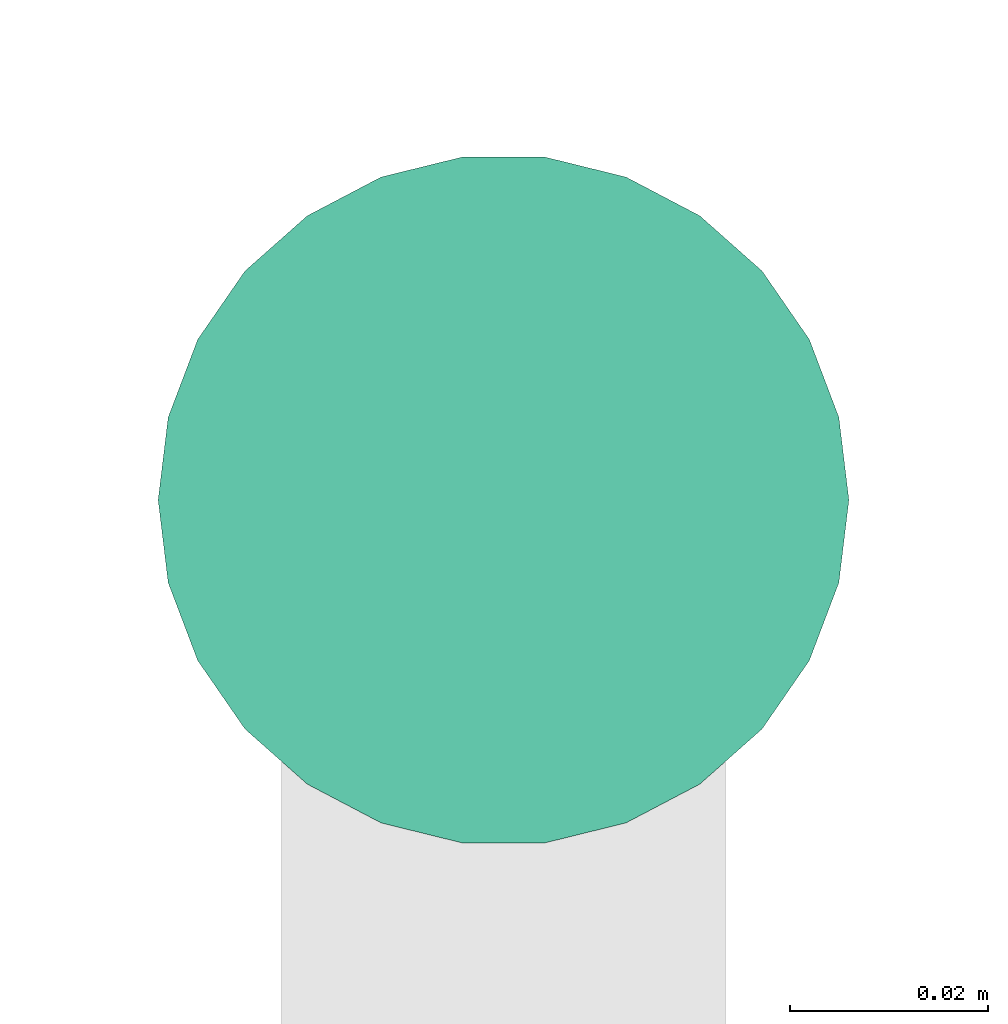
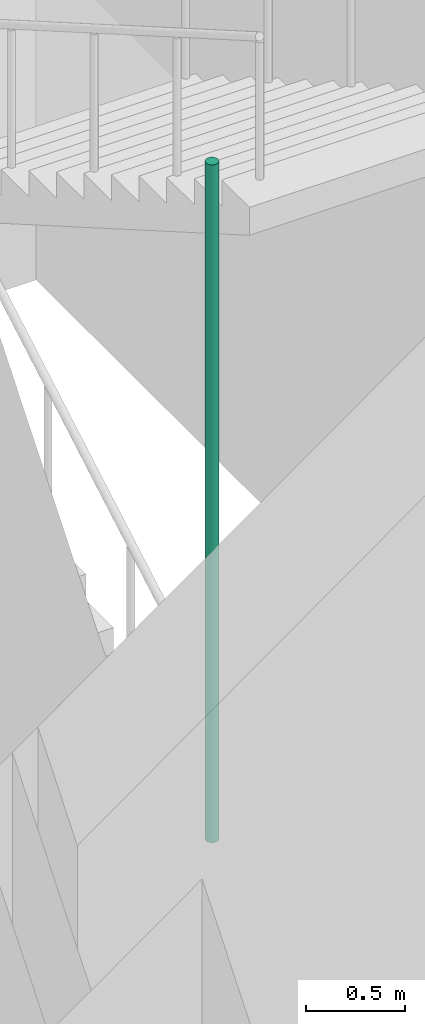
# One storey, part 34 of 38: 1 pipe segment.
"""IFC4 building model written with IfcOpenShell, lengths in metres."""

from ifc_helpers import new_model, si_unit, direction, frame, origin, origin_2d, place, context, subcontext, project, spatial, circle, extrude, element, save


model = new_model("IFC4")

# Units and contexts
model_context = context("Model", 3, precision=1e-05, world=origin(), true_north=direction((0.0, 1.0)))
body_context = subcontext(model_context, "Body", "Model", "MODEL_VIEW")
ifc_project = project(units=[si_unit("LENGTHUNIT", "METRE"), si_unit("AREAUNIT", "SQUARE_METRE"), si_unit("VOLUMEUNIT", "CUBIC_METRE"), si_unit("PLANEANGLEUNIT", "RADIAN"), si_unit("MASSUNIT", "GRAM", prefix="KILO")], contexts=[model_context])

# Site, building, storey
site_placement = place(None, origin())
site = spatial("IfcSite", under=ifc_project, at=site_placement, CompositionType="ELEMENT")
building_placement = place(site_placement, origin())
building = spatial("IfcBuilding", under=site, at=building_placement, Name="Nzadi Deep Aquarium and Research Tower", CompositionType="ELEMENT")
storey_placement = place(building_placement, frame((0.0, 0.0, 48.699951171875)))
storey = spatial("IfcBuildingStorey", under=building, at=storey_placement, Name="L09", CompositionType="ELEMENT", Elevation=48.699951171875)

# Pipe segment
pipe_segment_placement = place(storey_placement, frame((2.300048828125, 12.320068359375, 0.0), z_axis=(0.0, 0.0, 1.0), x_axis=(1.0, 0.0, 0.0)))
element("IfcPipeSegment", 1, at=pipe_segment_placement, inside=storey, Name="Dry riser ST-Z1-SW L09", PredefinedType="RIGIDSEGMENT", context=body_context, shape_type="SweptSolid", body=[
    extrude(circle(Radius=0.034912109375, at=origin_2d()), origin(), (0.0, 0.0, 1.0), 4.199951171875),
])

save(model, "model.ifc")
